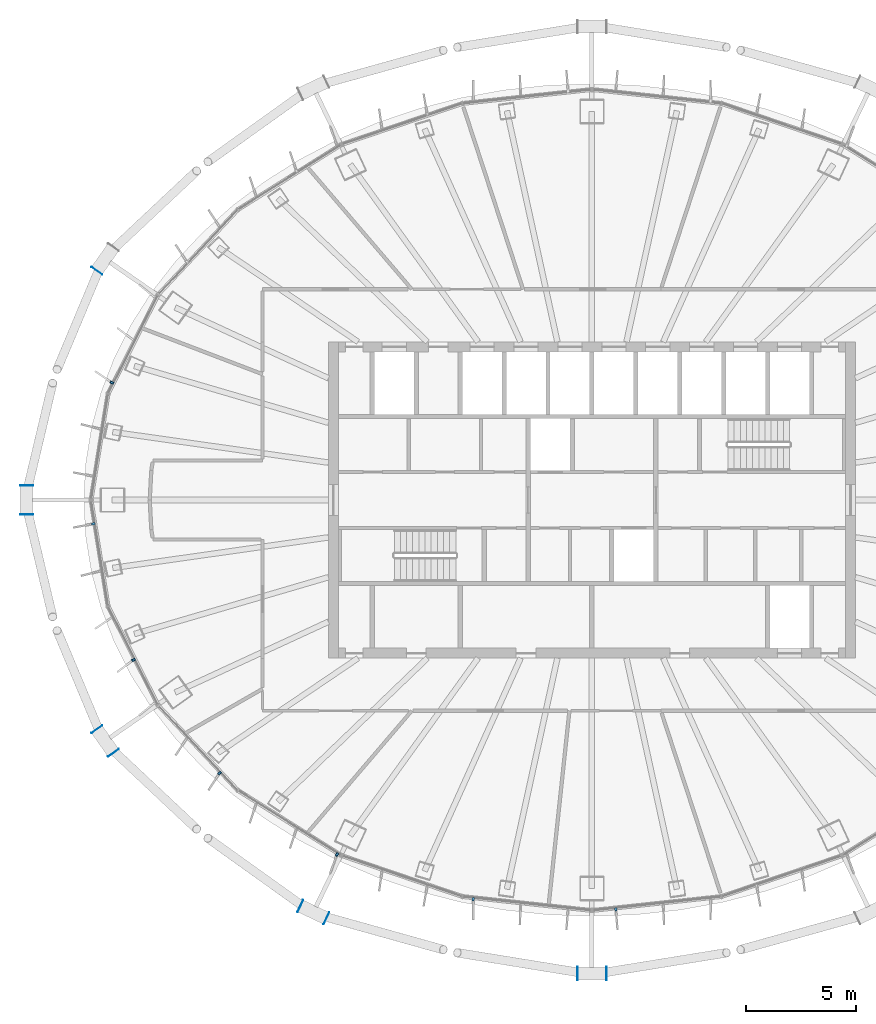
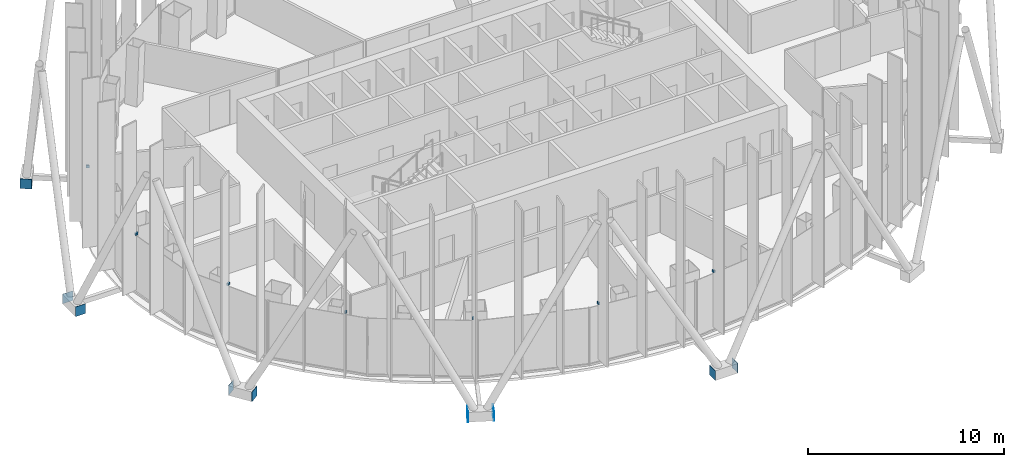
# One storey, part 11 of 17: 16 discrete accessories.
"""IFC4 building model written with IfcOpenShell, lengths in metres."""

from ifc_helpers import new_model, si_unit, direction, frame, origin, origin_2d, place, context, subcontext, project, spatial, rectangle, extrude, material, layer, layer_set, type_object, element, save


model = new_model("IFC4")

# Units and contexts
model_context = context("Model", 3, precision=1e-05, world=origin(), true_north=direction((0.0, 1.0)))
body_context = subcontext(model_context, "Body", "Model", "MODEL_VIEW")
ifc_project = project(units=[si_unit("LENGTHUNIT", "METRE"), si_unit("AREAUNIT", "SQUARE_METRE"), si_unit("VOLUMEUNIT", "CUBIC_METRE"), si_unit("PLANEANGLEUNIT", "RADIAN"), si_unit("MASSUNIT", "GRAM", prefix="KILO")], contexts=[model_context])

# Site, building, storey
site_placement = place(None, origin())
site = spatial("IfcSite", under=ifc_project, at=site_placement, CompositionType="ELEMENT")
building_placement = place(site_placement, origin())
building = spatial("IfcBuilding", under=site, at=building_placement, Name="Siaravel Broadcast Tower", CompositionType="ELEMENT")
storey_placement = place(building_placement, frame((0.0, 0.0, 190.39990234375)))
storey = spatial("IfcBuildingStorey", under=building, at=storey_placement, Name="L46", CompositionType="ELEMENT", Elevation=190.39990234375)

# Discrete accessories
ifc_material_1 = material(Name="Stainless steel 316", Category="steel")
discrete_accessory_type_1 = type_object("IfcDiscreteAccessoryType", Name="Stainless steel fin bracket", PredefinedType="USERDEFINED", material=ifc_material_1)
for number, where, z_axis, x_axis, name in (
    (1, (-21.856689453125, 5.34326171875, 3.68017578125), (0.0, 0.0, 1.0), (-0.892392151, 0.451260732, 0.0), "Fin bracket L46-28"),
    (2, (-22.70703125, -1.08349609375, 3.68017578125), (0.0, 0.0, 1.0), (-0.987329198, -0.158685394, 0.0), "Fin bracket L46-31"),
    (3, (-20.876220703125, -7.28173828125, 3.68017578125), (0.0, 0.0, 1.0), (-0.892392151, -0.451260732, 0.0), "Fin bracket L46-34"),
    (4, (-16.95654296875, -12.436767578125, 3.68017578125), (0.0, 0.0, 1.0), (-0.729805608, -0.683654718, 0.0), "Fin bracket L46-37"),
    (5, (-11.611328125, -16.1416015625, 3.68017578125), (0.0, 0.0, 1.0), (-0.532149452, -0.846650436, 0.0), "Fin bracket L46-40"),
    (6, (-5.406982421875, -18.180419921875, 3.68017578125), (0.0, 0.0, 1.0), (-0.107216783, -0.994235667, 0.0), "Fin bracket L46-43"),
    (7, (1.08740234375, -18.646240234375, 3.68017578125), (0.0, 0.0, 1.0), (0.107216783, -0.994235667, 0.0), "Fin bracket L46-46"),
):
    element("IfcDiscreteAccessory", number, at=place(storey_placement, frame(where, z_axis=z_axis, x_axis=x_axis)), inside=storey, type_object=discrete_accessory_type_1, Name=name, ObjectType="BRACKET", PredefinedType="USERDEFINED", context=body_context, shape_type="SweptSolid", body=[
        extrude(rectangle(XDim=0.159912109375, YDim=0.10009765625, at=origin_2d()), origin(), (0.0, 0.0, 1.0), 0.139892578125),
    ])
ifc_material_2 = material(Name="Steel S355", Category="steel")
ifc_layer = layer(ifc_material_2, 0.02001953125)
ifc_layer_set = layer_set([ifc_layer], Name="Steel S355")
discrete_accessory_type_2 = type_object("IfcDiscreteAccessoryType", Name="Steel end plate 20 mm", PredefinedType="USERDEFINED", material=ifc_layer_set)
for number, where, z_axis, x_axis, name in (
    (8, (-22.547119140625, 10.440185546875, -0.5), (0.0, 0.0, 1.0), (-0.576119939, -0.817365167, 0.0), "End plate R19 station 30A"),
    (9, (-25.744384765625, -0.65673828125, -0.5), (0.0, 0.0, 1.0), (0.0, -1.0, 0.0), "End plate R19 station 36A"),
    (10, (-25.744384765625, 0.65673828125, -0.5), (0.0, 0.0, 1.0), (0.0, -1.0, 0.0), "End plate R19 station 36B"),
    (11, (-21.79052734375, -11.513671875, -0.5), (0.0, 0.0, 1.0), (0.576119939, -0.817365167, 0.0), "End plate R19 station 42A"),
    (12, (-22.547119140625, -10.440185546875, -0.5), (0.0, 0.0, 1.0), (0.576119939, -0.817365167, 0.0), "End plate R19 station 42B"),
    (13, (-12.090087890625, -19.04931640625, -0.5), (0.0, 0.0, 1.0), (0.904007202, -0.427517227, 0.0), "End plate R19 station 48A"),
    (14, (-13.277587890625, -18.487548828125, -0.5), (0.0, 0.0, 1.0), (0.904007202, -0.427517227, 0.0), "End plate R19 station 48B"),
    (15, (0.65673828125, -21.557861328125, -0.5), (0.0, 0.0, 1.0), (1.0, 0.0, 0.0), "End plate R19 station 54A"),
    (16, (-0.65673828125, -21.557861328125, -0.5), (0.0, 0.0, 1.0), (1.0, 0.0, 0.0), "End plate R19 station 54B"),
):
    element("IfcDiscreteAccessory", number, at=place(storey_placement, frame(where, z_axis=z_axis, x_axis=x_axis)), inside=storey, type_object=discrete_accessory_type_2, Name=name, ObjectType="END PLATE", PredefinedType="USERDEFINED", context=body_context, shape_type="SweptSolid", body=[
        extrude(rectangle(XDim=0.02001953125, YDim=0.60009765625, at=origin_2d()), origin(), (0.0, 0.0, 1.0), 0.60009765625),
    ])

save(model, "model.ifc")
